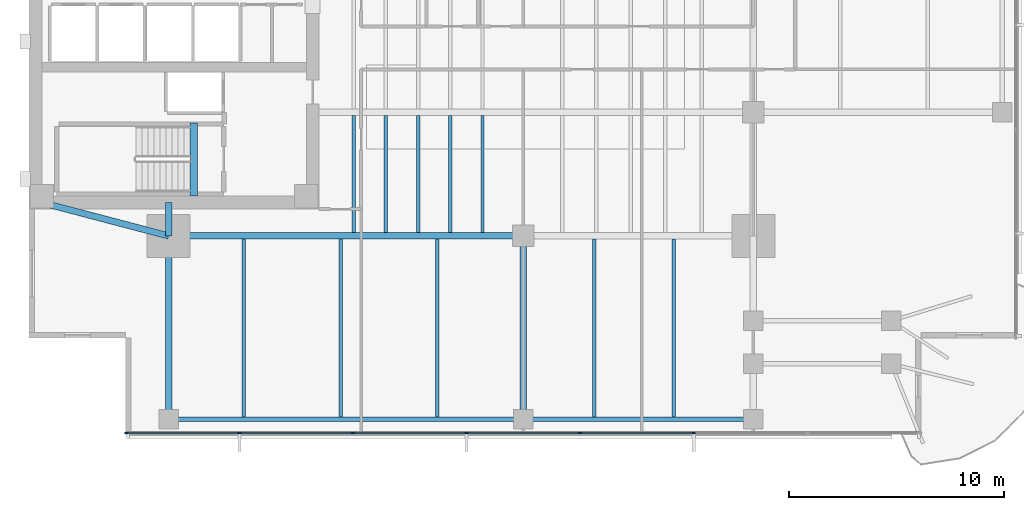
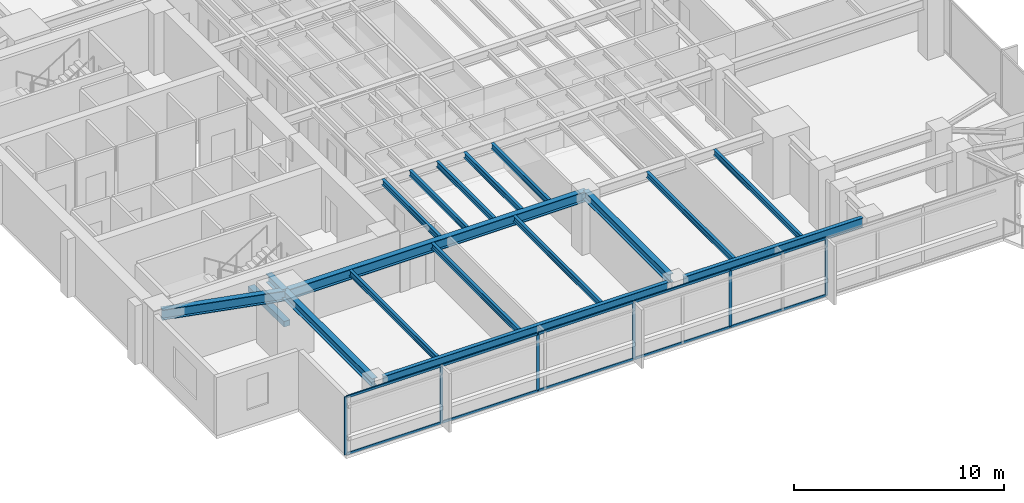
# One storey, part 2 of 15: 18 beams, 16 members, 1 element without a shape of its own.
"""IFC4 building model written with IfcOpenShell, lengths in metres."""

from ifc_helpers import new_model, si_unit, direction, frame, origin, origin_2d, place, context, subcontext, project, spatial, rectangle, i_section, extrude, material, layer, layer_set, material_profile, profile_set, type_object, element, aggregate, save


model = new_model("IFC4")

# Units and contexts
model_context = context("Model", 3, precision=1e-05, world=origin(), true_north=direction((0.0, 1.0)))
body_context = subcontext(model_context, "Body", "Model", "MODEL_VIEW")
ifc_project = project(units=[si_unit("LENGTHUNIT", "METRE"), si_unit("AREAUNIT", "SQUARE_METRE"), si_unit("VOLUMEUNIT", "CUBIC_METRE"), si_unit("PLANEANGLEUNIT", "RADIAN"), si_unit("MASSUNIT", "GRAM", prefix="KILO")], contexts=[model_context])

# Site, building, storey
site_placement = place(None, origin())
site = spatial("IfcSite", under=ifc_project, at=site_placement, CompositionType="ELEMENT")
building_placement = place(site_placement, origin())
building = spatial("IfcBuilding", under=site, at=building_placement, Name="Kinhvarn Gate Tower", CompositionType="ELEMENT")
storey_placement = place(building_placement, frame((0.0, 0.0, 112.89990234375)))
storey = spatial("IfcBuildingStorey", under=building, at=storey_placement, Name="L29", CompositionType="ELEMENT", Elevation=112.89990234375)

# Beam
ifc_material_1 = material(Name="Concrete C50/60", Category="concrete")
ifc_material_profile_1 = material_profile(ifc_material_1, rectangle(XDim=0.340087890625, YDim=0.320068359375, at=origin_2d()), Name="RC 340x320")
ifc_profile_set_1 = profile_set([ifc_material_profile_1], Name="Concrete C50/60")
beam_type_1 = type_object("IfcBeamType", Name="BM-LND-500", PredefinedType="BEAM", material=ifc_profile_set_1)
beam_1_placement = place(storey_placement, frame((12.1650390625, 14.60009765625, -0.159912109375), z_axis=(0.0, 1.0, 0.0), x_axis=(-1.0, 0.0, 0.0)))
element("IfcBeam", 1, at=beam_1_placement, inside=storey, type_object=beam_type_1, Name="Stair ST1 Landing Nosing Beam (L29)", PredefinedType="BEAM", context=body_context, shape_type="SweptSolid", body=[
    extrude(rectangle(XDim=0.340087890625, YDim=0.320068359375, at=origin_2d()), origin(), (0.0, 0.0, 1.0), 3.39990234375),
])

# Curtain wall, members
ifc_material_2 = material(Name="Anodised aluminium AW-6063", Category="aluminium")
ifc_layer = layer(ifc_material_2, 0.179931640625)
ifc_layer_set = layer_set([ifc_layer], Name="Anodised aluminium AW-6063")
curtain_wall_type = type_object("IfcCurtainWallType", Name="CW-SYS-3", PredefinedType="NOTDEFINED", material=ifc_layer_set)
curtain_wall_placement = place(storey_placement, origin())
curtain_wall = element("IfcCurtainWall", 2, at=curtain_wall_placement, inside=storey, type_object=curtain_wall_type, Name="Curtain Wall CW3 (L29)", PredefinedType="NOTDEFINED")
ifc_material_profile_2 = material_profile(ifc_material_2, rectangle(XDim=0.06494140625, YDim=0.159912109375, at=origin_2d()), Name="ALU 65x160")
ifc_profile_set_2 = profile_set([ifc_material_profile_2], Name="Anodised aluminium AW-6063")
member_type_1 = type_object("IfcMemberType", Name="CW-MUL-160", PredefinedType="MULLION", material=ifc_profile_set_2)
member_1_placement = place(storey_placement, frame((9.032470703125, 3.590087890625, 0.0), z_axis=(0.0, 0.0, 1.0), x_axis=(0.0, 1.0, 0.0)))
member_1 = element("IfcMember", 3, at=member_1_placement, type_object=member_type_1, Name="CW3 mullion 1", PredefinedType="MULLION", context=body_context, shape_type="SweptSolid", body=[
    extrude(rectangle(XDim=0.06494140625, YDim=0.159912109375, at=origin_2d()), origin(), (0.0, 0.0, 1.0), 3.3701171875),
])
member_2_placement = place(storey_placement, frame((14.28564453125, 3.590087890625, 0.0), z_axis=(0.0, 0.0, 1.0), x_axis=(0.0, 1.0, 0.0)))
member_2 = element("IfcMember", 4, at=member_2_placement, type_object=member_type_1, Name="CW3 mullion 2", PredefinedType="MULLION", context=body_context, shape_type="SweptSolid", body=[
    extrude(rectangle(XDim=0.06494140625, YDim=0.159912109375, at=origin_2d()), origin(), (0.0, 0.0, 1.0), 3.3701171875),
])
member_3_placement = place(storey_placement, frame((19.571533203125, 3.590087890625, 0.0), z_axis=(0.0, 0.0, 1.0), x_axis=(0.0, 1.0, 0.0)))
member_3 = element("IfcMember", 5, at=member_3_placement, type_object=member_type_1, Name="CW3 mullion 3", PredefinedType="MULLION", context=body_context, shape_type="SweptSolid", body=[
    extrude(rectangle(XDim=0.06494140625, YDim=0.159912109375, at=origin_2d()), origin(), (0.0, 0.0, 1.0), 3.3701171875),
])
member_4_placement = place(storey_placement, frame((24.857177734375, 3.590087890625, 0.0), z_axis=(0.0, 0.0, 1.0), x_axis=(0.0, 1.0, 0.0)))
member_4 = element("IfcMember", 6, at=member_4_placement, type_object=member_type_1, Name="CW3 mullion 4", PredefinedType="MULLION", context=body_context, shape_type="SweptSolid", body=[
    extrude(rectangle(XDim=0.06494140625, YDim=0.159912109375, at=origin_2d()), origin(), (0.0, 0.0, 1.0), 3.3701171875),
])
member_5_placement = place(storey_placement, frame((30.142822265625, 3.590087890625, 0.0), z_axis=(0.0, 0.0, 1.0), x_axis=(0.0, 1.0, 0.0)))
member_5 = element("IfcMember", 7, at=member_5_placement, type_object=member_type_1, Name="CW3 mullion 5", PredefinedType="MULLION", context=body_context, shape_type="SweptSolid", body=[
    extrude(rectangle(XDim=0.06494140625, YDim=0.159912109375, at=origin_2d()), origin(), (0.0, 0.0, 1.0), 3.3701171875),
])
member_6_placement = place(storey_placement, frame((35.428466796875, 3.590087890625, 0.0), z_axis=(0.0, 0.0, 1.0), x_axis=(0.0, 1.0, 0.0)))
member_6 = element("IfcMember", 8, at=member_6_placement, type_object=member_type_1, Name="CW3 mullion 6", PredefinedType="MULLION", context=body_context, shape_type="SweptSolid", body=[
    extrude(rectangle(XDim=0.06494140625, YDim=0.159912109375, at=origin_2d()), origin(), (0.0, 0.0, 1.0), 3.3701171875),
])
ifc_material_profile_3 = material_profile(ifc_material_2, rectangle(XDim=0.070068359375, YDim=0.139892578125, at=origin_2d()), Name="ALU 70x140")
ifc_profile_set_3 = profile_set([ifc_material_profile_3], Name="Anodised aluminium AW-6063")
member_type_2 = type_object("IfcMemberType", Name="CW-TRN-140", PredefinedType="USERDEFINED", material=ifc_profile_set_3)
member_7_placement = place(storey_placement, frame((9.06494140625, 3.590087890625, 0.03515625), z_axis=(1.0, 0.0, 0.0), x_axis=(0.0, 1.0, 0.0)))
member_7 = element("IfcMember", 9, at=member_7_placement, type_object=member_type_2, Name="CW3 transom 1.1", ObjectType="TRANSOM", PredefinedType="USERDEFINED", context=body_context, shape_type="SweptSolid", body=[
    extrude(rectangle(XDim=0.070068359375, YDim=0.139892578125, at=origin_2d()), origin(), (0.0, 0.0, 1.0), 5.188232421875),
])
member_8_placement = place(storey_placement, frame((9.06494140625, 3.590087890625, 3.335205078125), z_axis=(1.0, 0.0, 0.0), x_axis=(0.0, 1.0, 0.0)))
member_8 = element("IfcMember", 10, at=member_8_placement, type_object=member_type_2, Name="CW3 transom 1.2", ObjectType="TRANSOM", PredefinedType="USERDEFINED", context=body_context, shape_type="SweptSolid", body=[
    extrude(rectangle(XDim=0.070068359375, YDim=0.139892578125, at=origin_2d()), origin(), (0.0, 0.0, 1.0), 5.188232421875),
])
member_9_placement = place(storey_placement, frame((14.318115234375, 3.590087890625, 0.03515625), z_axis=(1.0, 0.0, 0.0), x_axis=(0.0, 1.0, 0.0)))
member_9 = element("IfcMember", 11, at=member_9_placement, type_object=member_type_2, Name="CW3 transom 2.1", ObjectType="TRANSOM", PredefinedType="USERDEFINED", context=body_context, shape_type="SweptSolid", body=[
    extrude(rectangle(XDim=0.070068359375, YDim=0.139892578125, at=origin_2d()), origin(), (0.0, 0.0, 1.0), 5.220703125),
])
member_10_placement = place(storey_placement, frame((14.318115234375, 3.590087890625, 3.335205078125), z_axis=(1.0, 0.0, 0.0), x_axis=(0.0, 1.0, 0.0)))
member_10 = element("IfcMember", 12, at=member_10_placement, type_object=member_type_2, Name="CW3 transom 2.2", ObjectType="TRANSOM", PredefinedType="USERDEFINED", context=body_context, shape_type="SweptSolid", body=[
    extrude(rectangle(XDim=0.070068359375, YDim=0.139892578125, at=origin_2d()), origin(), (0.0, 0.0, 1.0), 5.220703125),
])
member_11_placement = place(storey_placement, frame((19.60400390625, 3.590087890625, 0.03515625), z_axis=(1.0, 0.0, 0.0), x_axis=(0.0, 1.0, 0.0)))
member_11 = element("IfcMember", 13, at=member_11_placement, type_object=member_type_2, Name="CW3 transom 3.1", ObjectType="TRANSOM", PredefinedType="USERDEFINED", context=body_context, shape_type="SweptSolid", body=[
    extrude(rectangle(XDim=0.070068359375, YDim=0.139892578125, at=origin_2d()), origin(), (0.0, 0.0, 1.0), 5.220703125),
])
member_12_placement = place(storey_placement, frame((19.60400390625, 3.590087890625, 3.335205078125), z_axis=(1.0, 0.0, 0.0), x_axis=(0.0, 1.0, 0.0)))
member_12 = element("IfcMember", 14, at=member_12_placement, type_object=member_type_2, Name="CW3 transom 3.2", ObjectType="TRANSOM", PredefinedType="USERDEFINED", context=body_context, shape_type="SweptSolid", body=[
    extrude(rectangle(XDim=0.070068359375, YDim=0.139892578125, at=origin_2d()), origin(), (0.0, 0.0, 1.0), 5.220703125),
])
member_13_placement = place(storey_placement, frame((24.8896484375, 3.590087890625, 0.03515625), z_axis=(1.0, 0.0, 0.0), x_axis=(0.0, 1.0, 0.0)))
member_13 = element("IfcMember", 15, at=member_13_placement, type_object=member_type_2, Name="CW3 transom 4.1", ObjectType="TRANSOM", PredefinedType="USERDEFINED", context=body_context, shape_type="SweptSolid", body=[
    extrude(rectangle(XDim=0.070068359375, YDim=0.139892578125, at=origin_2d()), origin(), (0.0, 0.0, 1.0), 5.220703125),
])
member_14_placement = place(storey_placement, frame((24.8896484375, 3.590087890625, 3.335205078125), z_axis=(1.0, 0.0, 0.0), x_axis=(0.0, 1.0, 0.0)))
member_14 = element("IfcMember", 16, at=member_14_placement, type_object=member_type_2, Name="CW3 transom 4.2", ObjectType="TRANSOM", PredefinedType="USERDEFINED", context=body_context, shape_type="SweptSolid", body=[
    extrude(rectangle(XDim=0.070068359375, YDim=0.139892578125, at=origin_2d()), origin(), (0.0, 0.0, 1.0), 5.220703125),
])
member_15_placement = place(storey_placement, frame((30.17529296875, 3.590087890625, 0.03515625), z_axis=(1.0, 0.0, 0.0), x_axis=(0.0, 1.0, 0.0)))
member_15 = element("IfcMember", 17, at=member_15_placement, type_object=member_type_2, Name="CW3 transom 5.1", ObjectType="TRANSOM", PredefinedType="USERDEFINED", context=body_context, shape_type="SweptSolid", body=[
    extrude(rectangle(XDim=0.070068359375, YDim=0.139892578125, at=origin_2d()), origin(), (0.0, 0.0, 1.0), 5.220703125),
])
member_16_placement = place(storey_placement, frame((30.17529296875, 3.590087890625, 3.335205078125), z_axis=(1.0, 0.0, 0.0), x_axis=(0.0, 1.0, 0.0)))
member_16 = element("IfcMember", 18, at=member_16_placement, type_object=member_type_2, Name="CW3 transom 5.2", ObjectType="TRANSOM", PredefinedType="USERDEFINED", context=body_context, shape_type="SweptSolid", body=[
    extrude(rectangle(XDim=0.070068359375, YDim=0.139892578125, at=origin_2d()), origin(), (0.0, 0.0, 1.0), 5.220703125),
])
aggregate(curtain_wall, [member_1, member_2, member_3, member_4, member_5, member_6, member_7, member_8, member_9, member_10, member_11, member_12, member_13, member_14, member_15, member_16])

# Beams
ifc_material_3 = material(Name="Steel S355", Category="steel")
ifc_material_profile_4 = material_profile(ifc_material_3, i_section(OverallWidth=0.300048828125, OverallDepth=0.5, WebThickness=0.014404296875, FlangeThickness=0.028076171875, at=origin_2d()), Name="HEB 500")
ifc_profile_set_4 = profile_set([ifc_material_profile_4], Name="Steel S355")
beam_type_2 = type_object("IfcBeamType", Name="STL-HEB500", PredefinedType="BEAM", material=ifc_profile_set_4)
beam_2_placement = place(storey_placement, frame((11.0, 4.219970703125, 3.1201171875), z_axis=(0.0, 1.0, 0.0), x_axis=(-1.0, 0.0, 0.0)))
element("IfcBeam", 19, at=beam_2_placement, inside=storey, type_object=beam_type_2, Name="Floor Beam PG-14 (L29 MCW-S)", PredefinedType="BEAM", context=body_context, shape_type="SweptSolid", body=[
    extrude(i_section(OverallWidth=0.300048828125, OverallDepth=0.5, WebThickness=0.014404296875, FlangeThickness=0.028076171875, at=origin_2d()), origin(), (0.0, 0.0, 1.0), 8.530029296875),
])
beam_3_placement = place(storey_placement, frame((11.0, 12.75, 3.1201171875), z_axis=(0.0, 1.0, 0.0), x_axis=(-1.0, 0.0, 0.0)))
element("IfcBeam", 20, at=beam_3_placement, inside=storey, type_object=beam_type_2, Name="Floor Beam PG-14 (L29 MCW-CS)", PredefinedType="BEAM", context=body_context, shape_type="SweptSolid", body=[
    extrude(i_section(OverallWidth=0.300048828125, OverallDepth=0.5, WebThickness=0.014404296875, FlangeThickness=0.028076171875, at=origin_2d()), origin(), (0.0, 0.0, 1.0), 1.550048828125),
])
beam_4_placement = place(storey_placement, frame((27.5, 4.655029296875, 3.1201171875), z_axis=(0.0, 1.0, 0.0), x_axis=(-1.0, 0.0, 0.0)))
element("IfcBeam", 21, at=beam_4_placement, inside=storey, type_object=beam_type_2, Name="Floor Beam PG-14 (L29 SP27-S-TIE)", PredefinedType="BEAM", context=body_context, shape_type="SweptSolid", body=[
    extrude(i_section(OverallWidth=0.300048828125, OverallDepth=0.5, WebThickness=0.014404296875, FlangeThickness=0.028076171875, at=origin_2d()), origin(), (0.0, 0.0, 1.0), 8.094970703125),
])
ifc_material_profile_5 = material_profile(ifc_material_3, i_section(OverallWidth=0.300048828125, OverallDepth=0.60009765625, WebThickness=0.015380859375, FlangeThickness=0.030029296875, at=origin_2d()), Name="HEB 600")
ifc_profile_set_5 = profile_set([ifc_material_profile_5], Name="Steel S355")
beam_type_3 = type_object("IfcBeamType", Name="STL-HEB600", PredefinedType="BEAM", material=ifc_profile_set_5)
beam_5_placement = place(storey_placement, frame((11.0, 12.75, 3.070068359375), z_axis=(1.0, 0.0, 0.0), x_axis=(0.0, 1.0, 0.0)))
element("IfcBeam", 22, at=beam_5_placement, inside=storey, type_object=beam_type_3, Name="Floor Beam PG-16 (L29 MG-S1)", PredefinedType="BEAM", context=body_context, shape_type="SweptSolid", body=[
    extrude(i_section(OverallWidth=0.300048828125, OverallDepth=0.60009765625, WebThickness=0.015380859375, FlangeThickness=0.030029296875, at=origin_2d()), origin(), (0.0, 0.0, 1.0), 16.5),
])
beam_6_placement = place(storey_placement, frame((5.10009765625, 14.300048828125, 3.070068359375), z_axis=(0.967177623957, -0.254101246979, 0.0), x_axis=(0.254101246979, 0.967177623957, 0.0)))
element("IfcBeam", 23, at=beam_6_placement, inside=storey, type_object=beam_type_3, Name="Floor Beam PG-16 (L29 MG-SW-DIAG)", PredefinedType="BEAM", context=body_context, shape_type="SweptSolid", body=[
    extrude(i_section(OverallWidth=0.300048828125, OverallDepth=0.60009765625, WebThickness=0.015380859375, FlangeThickness=0.030029296875, at=origin_2d()), origin(), (0.0, 0.0, 1.0), 6.10009765625),
])
ifc_material_profile_6 = material_profile(ifc_material_3, i_section(OverallWidth=0.159912109375, OverallDepth=0.330078125, WebThickness=0.007568359375, FlangeThickness=0.011474609375, at=origin_2d()), Name="IPE 330")
ifc_profile_set_6 = profile_set([ifc_material_profile_6], Name="Steel S355")
beam_type_4 = type_object("IfcBeamType", Name="STL-IPE330", PredefinedType="JOIST", material=ifc_profile_set_6)
for number, where, z_axis, x_axis, name in (
    (24, (19.60009765625, 12.89990234375, 3.205078125), (0.0, 1.0, 0.0), (-1.0, 0.0, 0.0), "Floor Joist SB-03 (L29 JC-X196-0)"),
    (25, (21.10009765625, 12.89990234375, 3.205078125), (0.0, 1.0, 0.0), (-1.0, 0.0, 0.0), "Floor Joist SB-03 (L29 JC-X211-0)"),
    (26, (22.60009765625, 12.89990234375, 3.205078125), (0.0, 1.0, 0.0), (-1.0, 0.0, 0.0), "Floor Joist SB-03 (L29 JC-X226-0)"),
    (27, (24.10009765625, 12.89990234375, 3.205078125), (0.0, 1.0, 0.0), (-1.0, 0.0, 0.0), "Floor Joist SB-03 (L29 JC-X241-0)"),
    (28, (25.60009765625, 12.89990234375, 3.205078125), (0.0, 1.0, 0.0), (-1.0, 0.0, 0.0), "Floor Joist SB-03 (L29 JC-X256-0)"),
):
    element("IfcBeam", number, at=place(storey_placement, frame(where, z_axis=z_axis, x_axis=x_axis)), inside=storey, type_object=beam_type_4, Name=name, PredefinedType="JOIST", context=body_context, shape_type="SweptSolid", body=[
        extrude(i_section(OverallWidth=0.159912109375, OverallDepth=0.330078125, WebThickness=0.007568359375, FlangeThickness=0.011474609375, at=origin_2d()), origin(), (0.0, 0.0, 1.0), 5.4501953125),
    ])
for number, where, z_axis, x_axis, name in (
    (29, (14.5, 4.324951171875, 3.205078125), (0.0, 1.0, 0.0), (-1.0, 0.0, 0.0), "Floor Joist SB-03 (L29 JS-X145)"),
    (30, (19.0, 4.324951171875, 3.205078125), (0.0, 1.0, 0.0), (-1.0, 0.0, 0.0), "Floor Joist SB-03 (L29 JS-X190)"),
    (31, (23.5, 4.324951171875, 3.205078125), (0.0, 1.0, 0.0), (-1.0, 0.0, 0.0), "Floor Joist SB-03 (L29 JS-X235)"),
    (32, (30.800048828125, 4.324951171875, 3.205078125), (0.0, 1.0, 0.0), (-1.0, 0.0, 0.0), "Floor Joist SB-03 (L29 JS-X308)"),
    (33, (34.5, 4.324951171875, 3.205078125), (0.0, 1.0, 0.0), (-1.0, 0.0, 0.0), "Floor Joist SB-03 (L29 JS-X345)"),
):
    element("IfcBeam", number, at=place(storey_placement, frame(where, z_axis=z_axis, x_axis=x_axis)), inside=storey, type_object=beam_type_4, Name=name, PredefinedType="JOIST", context=body_context, shape_type="SweptSolid", body=[
        extrude(i_section(OverallWidth=0.159912109375, OverallDepth=0.330078125, WebThickness=0.007568359375, FlangeThickness=0.011474609375, at=origin_2d()), origin(), (0.0, 0.0, 1.0), 8.275146484375),
    ])
ifc_material_profile_7 = material_profile(ifc_material_3, i_section(OverallWidth=0.2099609375, OverallDepth=0.550048828125, WebThickness=0.010986328125, FlangeThickness=0.01708984375, at=origin_2d()), Name="IPE 550")
ifc_profile_set_7 = profile_set([ifc_material_profile_7], Name="Steel S355")
beam_type_5 = type_object("IfcBeamType", Name="STL-IPE550", PredefinedType="SPANDREL", material=ifc_profile_set_7)
beam_7_placement = place(storey_placement, frame((11.43505859375, 4.219970703125, 3.09521484375), z_axis=(1.0, 0.0, 0.0), x_axis=(0.0, 1.0, 0.0)))
element("IfcBeam", 34, at=beam_7_placement, inside=storey, type_object=beam_type_5, Name="Floor Spandrel SB-08 (L29 SP-S1)", PredefinedType="SPANDREL", context=body_context, shape_type="SweptSolid", body=[
    extrude(i_section(OverallWidth=0.2099609375, OverallDepth=0.550048828125, WebThickness=0.010986328125, FlangeThickness=0.01708984375, at=origin_2d()), origin(), (0.0, 0.0, 1.0), 15.6298828125),
])
beam_8_placement = place(storey_placement, frame((27.93505859375, 4.219970703125, 3.09521484375), z_axis=(1.0, 0.0, 0.0), x_axis=(0.0, 1.0, 0.0)))
element("IfcBeam", 35, at=beam_8_placement, inside=storey, type_object=beam_type_5, Name="Floor Spandrel SB-08 (L29 SP-S2)", PredefinedType="SPANDREL", context=body_context, shape_type="SweptSolid", body=[
    extrude(i_section(OverallWidth=0.2099609375, OverallDepth=0.550048828125, WebThickness=0.010986328125, FlangeThickness=0.01708984375, at=origin_2d()), origin(), (0.0, 0.0, 1.0), 9.829833984375),
])

save(model, "model.ifc")
